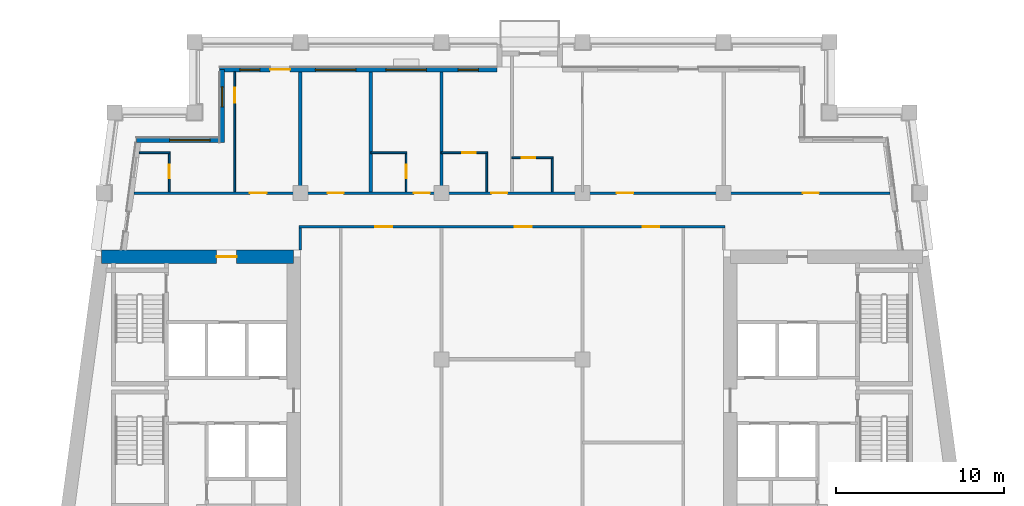
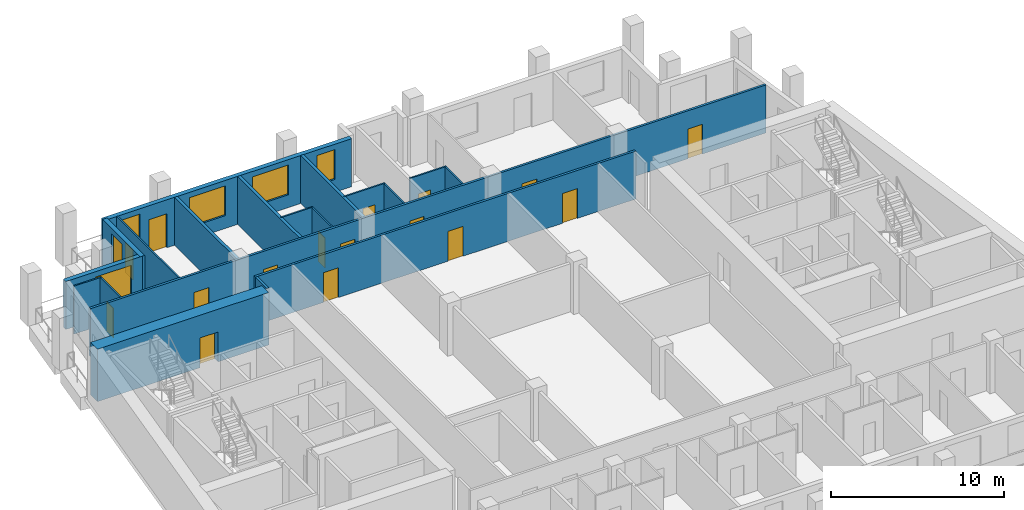
# One storey, part 6 of 12: 19 walls, 16 doors, 6 windows, 22 openings.
"""IFC4 building model written with IfcOpenShell, lengths in metres."""

from ifc_helpers import new_model, si_unit, direction, frame, frame_2d, origin, place, context, subcontext, project, spatial, rectangle, extrude, material, layer, layer_set, type_object, element, fill, save


model = new_model("IFC4")

# Units and contexts
model_context = context("Model", 3, precision=1e-05, world=origin(), true_north=direction((0.0, 1.0)))
body_context = subcontext(model_context, "Body", "Model", "MODEL_VIEW")
ifc_project = project(units=[si_unit("LENGTHUNIT", "METRE"), si_unit("AREAUNIT", "SQUARE_METRE"), si_unit("VOLUMEUNIT", "CUBIC_METRE"), si_unit("PLANEANGLEUNIT", "RADIAN"), si_unit("MASSUNIT", "GRAM", prefix="KILO")], contexts=[model_context])

# Site, building, storey
site_placement = place(None, origin())
site = spatial("IfcSite", under=ifc_project, at=site_placement, CompositionType="ELEMENT")
building_placement = place(site_placement, origin())
building = spatial("IfcBuilding", under=site, at=building_placement, Name="Candeia Pilgrim Tower and Theatre", CompositionType="ELEMENT")
storey_placement = place(building_placement, frame((0.0, 0.0, 213.300048828125)))
storey = spatial("IfcBuildingStorey", under=building, at=storey_placement, Name="L51", CompositionType="ELEMENT", Elevation=213.300048828125)

# Wall, opening, door
ifc_material_1 = material(Name="Concrete C50/60", Category="concrete")
ifc_layer_1 = layer(ifc_material_1, 0.800048828125)
ifc_layer_set_1 = layer_set([ifc_layer_1], Name="Core wall 800 C50/60")
wall_type_1 = type_object("IfcWallType", Name="Core wall 800 C50/60", PredefinedType="SHEAR", material=ifc_layer_set_1)
wall_1_placement = place(storey_placement, frame((88.98046875, 132.0, 0.0), z_axis=(0.0, 0.0, 1.0), x_axis=(1.0, 0.0, 0.0)))
wall_1 = element("IfcWall", 1, at=wall_1_placement, inside=storey, type_object=wall_type_1, Name="Core wall W1", PredefinedType="SHEAR", context=body_context, shape_type="SweptSolid", body=[
    extrude(rectangle(XDim=11.41943359375, YDim=0.800048828125, at=frame_2d((5.709716796875, 0.0))), origin(), (0.0, 0.0, 1.0), 3.699951171875),
])
opening_1_placement = place(wall_1_placement, frame((6.8330078125, 0.0, 0.0)))
opening_1 = element("IfcOpeningElement", 2, at=opening_1_placement, cuts=wall_1, Name="Opening L51-D054", PredefinedType="OPENING", context=body_context, shape_type="SweptSolid", body=[
    extrude(rectangle(XDim=1.199951171875, YDim=2.10009765625, at=frame_2d((0.60009765625, 1.050048828125))), frame((0.0, 0.41015625, 0.0), z_axis=(0.0, -1.0, 0.0), x_axis=(1.0, 0.0, 0.0)), (0.0, 0.0, 1.0), 0.820068359375),
])
ifc_material_2 = material(Name="Steel fire door set", Category="steel")
door_type_1 = type_object("IfcDoorType", Name="D-1200-FD60", OperationType="NOTDEFINED", PredefinedType="DOOR", material=ifc_material_2)
door_1_placement = place(opening_1_placement, origin())
door_1 = element("IfcDoor", 3, at=door_1_placement, inside=storey, type_object=door_type_1, Name="Door L51-D054", OperationType="SINGLE_SWING_LEFT", OverallHeight=2.10009765625, OverallWidth=1.199951171875, PredefinedType="DOOR", context=body_context, shape_type="SweptSolid", body=[
    extrude(rectangle(XDim=1.199951171875, YDim=2.10009765625, at=frame_2d((0.60009765625, 1.050048828125))), frame((0.0, 0.02490234375, 0.0), z_axis=(0.0, -1.0, 0.0), x_axis=(1.0, 0.0, 0.0)), (0.0, 0.0, 1.0), 0.050048828125),
])
fill(opening_1, door_1)

# Wall, openings, door, windows
ifc_material_3 = material(Name="Ceramic block masonry", Category="masonry")
ifc_layer_2 = layer(ifc_material_3, 0.300048828125)
ifc_layer_set_2 = layer_set([ifc_layer_2], Name="EW1 glazing-line wall 300")
wall_type_2 = type_object("IfcWallType", Name="EW1 glazing-line wall 300", PredefinedType="SOLIDWALL", material=ifc_layer_set_2)
wall_2_placement = place(storey_placement, frame((112.5, 143.14990234375, 0.0), z_axis=(0.0, 0.0, 1.0), x_axis=(-1.0, 0.0, 0.0)))
wall_2 = element("IfcWall", 4, at=wall_2_placement, inside=storey, type_object=wall_type_2, Name="External wall L51-6.1", PredefinedType="SOLIDWALL", context=body_context, shape_type="SweptSolid", body=[
    extrude(rectangle(XDim=16.5, YDim=0.300048828125, at=frame_2d((8.25, 0.0))), origin(), (0.0, 0.0, 1.0), 3.3798828125),
])
opening_2_placement = place(wall_2_placement, frame((1.10009765625, 0.0, 0.89990234375)))
opening_2 = element("IfcOpeningElement", 5, at=opening_2_placement, cuts=wall_2, Name="Opening W-B", PredefinedType="OPENING", context=body_context, shape_type="SweptSolid", body=[
    extrude(rectangle(XDim=1.199951171875, YDim=2.10009765625, at=frame_2d((0.60009765625, 1.050048828125))), frame((0.0, 0.16015625, 0.0), z_axis=(0.0, -1.0, 0.0), x_axis=(1.0, 0.0, 0.0)), (0.0, 0.0, 1.0), 0.320068359375),
])
opening_3_placement = place(wall_2_placement, frame((4.199951171875, 0.0, 0.89990234375)))
opening_3 = element("IfcOpeningElement", 6, at=opening_3_placement, cuts=wall_2, Name="Opening W-A", PredefinedType="OPENING", context=body_context, shape_type="SweptSolid", body=[
    extrude(rectangle(XDim=2.39990234375, YDim=2.10009765625, at=frame_2d((1.199951171875, 1.050048828125))), frame((0.0, 0.16015625, 0.0), z_axis=(0.0, -1.0, 0.0), x_axis=(1.0, 0.0, 0.0)), (0.0, 0.0, 1.0), 0.320068359375),
])
opening_4_placement = place(wall_2_placement, frame((8.39990234375, 0.0, 0.89990234375)))
opening_4 = element("IfcOpeningElement", 7, at=opening_4_placement, cuts=wall_2, Name="Opening W-A", PredefinedType="OPENING", context=body_context, shape_type="SweptSolid", body=[
    extrude(rectangle(XDim=2.39990234375, YDim=2.10009765625, at=frame_2d((1.199951171875, 1.050048828125))), frame((0.0, 0.16015625, 0.0), z_axis=(0.0, -1.0, 0.0), x_axis=(1.0, 0.0, 0.0)), (0.0, 0.0, 1.0), 0.320068359375),
])
opening_5_placement = place(wall_2_placement, frame((12.300048828125, 0.0, 0.0)))
opening_5 = element("IfcOpeningElement", 8, at=opening_5_placement, cuts=wall_2, Name="Opening L51-ED488", PredefinedType="OPENING", context=body_context, shape_type="SweptSolid", body=[
    extrude(rectangle(XDim=1.199951171875, YDim=2.39990234375, at=frame_2d((0.60009765625, 1.199951171875))), frame((0.0, 0.16015625, 0.0), z_axis=(0.0, -1.0, 0.0), x_axis=(1.0, 0.0, 0.0)), (0.0, 0.0, 1.0), 0.320068359375),
])
opening_6_placement = place(wall_2_placement, frame((14.10009765625, 0.0, 0.89990234375)))
opening_6 = element("IfcOpeningElement", 9, at=opening_6_placement, cuts=wall_2, Name="Opening W-B", PredefinedType="OPENING", context=body_context, shape_type="SweptSolid", body=[
    extrude(rectangle(XDim=1.199951171875, YDim=2.10009765625, at=frame_2d((0.60009765625, 1.050048828125))), frame((0.0, 0.16015625, 0.0), z_axis=(0.0, -1.0, 0.0), x_axis=(1.0, 0.0, 0.0)), (0.0, 0.0, 1.0), 0.320068359375),
])
ifc_material_4 = material(Name="Aluminium framed glazed door", Category="aluminium")
door_type_2 = type_object("IfcDoorType", Name="Loggia door 1200x2400", OperationType="DOUBLE_DOOR_SINGLE_SWING", PredefinedType="DOOR", material=ifc_material_4)
door_2_placement = place(opening_5_placement, origin())
door_2 = element("IfcDoor", 10, at=door_2_placement, inside=storey, type_object=door_type_2, Name="Loggia door L51-ED488", OperationType="DOUBLE_DOOR_SINGLE_SWING", OverallHeight=2.39990234375, OverallWidth=1.199951171875, PredefinedType="DOOR", context=body_context, shape_type="SweptSolid", body=[
    extrude(rectangle(XDim=1.199951171875, YDim=2.39990234375, at=frame_2d((0.60009765625, 1.199951171875))), frame((0.0, 0.02490234375, 0.0), z_axis=(0.0, -1.0, 0.0), x_axis=(1.0, 0.0, 0.0)), (0.0, 0.0, 1.0), 0.050048828125),
])
fill(opening_5, door_2)
ifc_material_5 = material(Name="Aluminium framed double glazing", Category="aluminium")
window_type_1 = type_object("IfcWindowType", Name="W-A window 2400x2100", PartitioningType="DOUBLE_PANEL_VERTICAL", PredefinedType="WINDOW", material=ifc_material_5)
window_1_placement = place(opening_3_placement, origin())
window_1 = element("IfcWindow", 11, at=window_1_placement, inside=storey, type_object=window_type_1, Name="Window W-A L51", OverallHeight=2.10009765625, OverallWidth=2.39990234375, PartitioningType="SINGLE_PANEL", PredefinedType="WINDOW", context=body_context, shape_type="SweptSolid", body=[
    extrude(rectangle(XDim=2.39990234375, YDim=2.10009765625, at=frame_2d((1.199951171875, 1.050048828125))), frame((0.0, 0.030029296875, 0.0), z_axis=(0.0, -1.0, 0.0), x_axis=(1.0, 0.0, 0.0)), (0.0, 0.0, 1.0), 0.06005859375),
])
fill(opening_3, window_1)
window_2_placement = place(opening_4_placement, origin())
window_2 = element("IfcWindow", 12, at=window_2_placement, inside=storey, type_object=window_type_1, Name="Window W-A L51", OverallHeight=2.10009765625, OverallWidth=2.39990234375, PartitioningType="SINGLE_PANEL", PredefinedType="WINDOW", context=body_context, shape_type="SweptSolid", body=[
    extrude(rectangle(XDim=2.39990234375, YDim=2.10009765625, at=frame_2d((1.199951171875, 1.050048828125))), frame((0.0, 0.030029296875, 0.0), z_axis=(0.0, -1.0, 0.0), x_axis=(1.0, 0.0, 0.0)), (0.0, 0.0, 1.0), 0.06005859375),
])
fill(opening_4, window_2)
window_type_2 = type_object("IfcWindowType", Name="W-B window 1200x2100", PartitioningType="SINGLE_PANEL", PredefinedType="WINDOW", material=ifc_material_5)
window_3_placement = place(opening_2_placement, origin())
window_3 = element("IfcWindow", 13, at=window_3_placement, inside=storey, type_object=window_type_2, Name="Window W-B L51", OverallHeight=2.10009765625, OverallWidth=1.199951171875, PartitioningType="SINGLE_PANEL", PredefinedType="WINDOW", context=body_context, shape_type="SweptSolid", body=[
    extrude(rectangle(XDim=1.199951171875, YDim=2.10009765625, at=frame_2d((0.60009765625, 1.050048828125))), frame((0.0, 0.030029296875, 0.0), z_axis=(0.0, -1.0, 0.0), x_axis=(1.0, 0.0, 0.0)), (0.0, 0.0, 1.0), 0.06005859375),
])
fill(opening_2, window_3)
window_4_placement = place(opening_6_placement, origin())
window_4 = element("IfcWindow", 14, at=window_4_placement, inside=storey, type_object=window_type_2, Name="Window W-B L51", OverallHeight=2.10009765625, OverallWidth=1.199951171875, PartitioningType="SINGLE_PANEL", PredefinedType="WINDOW", context=body_context, shape_type="SweptSolid", body=[
    extrude(rectangle(XDim=1.199951171875, YDim=2.10009765625, at=frame_2d((0.60009765625, 1.050048828125))), frame((0.0, 0.030029296875, 0.0), z_axis=(0.0, -1.0, 0.0), x_axis=(1.0, 0.0, 0.0)), (0.0, 0.0, 1.0), 0.06005859375),
])
fill(opening_6, window_4)

# Wall, opening, window
wall_3_placement = place(storey_placement, frame((96.14990234375, 143.14990234375, 0.0), z_axis=(0.0, 0.0, 1.0), x_axis=(0.0, -1.0, 0.0)))
wall_3 = element("IfcWall", 15, at=wall_3_placement, inside=storey, type_object=wall_type_2, Name="External wall L51-7.0", PredefinedType="SOLIDWALL", context=body_context, shape_type="SweptSolid", body=[
    extrude(rectangle(XDim=4.349853515625, YDim=0.300048828125, at=frame_2d((2.1748046875, 0.0))), origin(), (0.0, 0.0, 1.0), 3.3798828125),
])
opening_7_placement = place(wall_3_placement, frame((1.02490234375, 0.0, 0.89990234375)))
opening_7 = element("IfcOpeningElement", 16, at=opening_7_placement, cuts=wall_3, Name="Opening W-B", PredefinedType="OPENING", context=body_context, shape_type="SweptSolid", body=[
    extrude(rectangle(XDim=1.199951171875, YDim=2.10009765625, at=frame_2d((0.60009765625, 1.050048828125))), frame((0.0, 0.16015625, 0.0), z_axis=(0.0, -1.0, 0.0), x_axis=(1.0, 0.0, 0.0)), (0.0, 0.0, 1.0), 0.320068359375),
])
window_5_placement = place(opening_7_placement, origin())
window_5 = element("IfcWindow", 17, at=window_5_placement, inside=storey, type_object=window_type_2, Name="Window W-B L51", OverallHeight=2.10009765625, OverallWidth=1.199951171875, PartitioningType="SINGLE_PANEL", PredefinedType="WINDOW", context=body_context, shape_type="SweptSolid", body=[
    extrude(rectangle(XDim=1.199951171875, YDim=2.10009765625, at=frame_2d((0.60009765625, 1.050048828125))), frame((0.0, 0.030029296875, 0.0), z_axis=(0.0, -1.0, 0.0), x_axis=(1.0, 0.0, 0.0)), (0.0, 0.0, 1.0), 0.06005859375),
])
fill(opening_7, window_5)

wall_4_placement = place(storey_placement, frame((96.14990234375, 138.949951171875, 0.0), z_axis=(0.0, 0.0, 1.0), x_axis=(-1.0, 0.0, 0.0)))
wall_4 = element("IfcWall", 18, at=wall_4_placement, inside=storey, type_object=wall_type_2, Name="External wall L51-8.0", PredefinedType="SOLIDWALL", context=body_context, shape_type="SweptSolid", body=[
    extrude(rectangle(XDim=5.103759765625, YDim=0.300048828125, at=frame_2d((2.5517578125, 0.0))), origin(), (0.0, 0.0, 1.0), 3.3798828125),
])
opening_8_placement = place(wall_4_placement, frame((0.72509765625, 0.0, 0.89990234375)))
opening_8 = element("IfcOpeningElement", 19, at=opening_8_placement, cuts=wall_4, Name="Opening W-A", PredefinedType="OPENING", context=body_context, shape_type="SweptSolid", body=[
    extrude(rectangle(XDim=2.39990234375, YDim=2.10009765625, at=frame_2d((1.199951171875, 1.050048828125))), frame((0.0, 0.16015625, 0.0), z_axis=(0.0, -1.0, 0.0), x_axis=(1.0, 0.0, 0.0)), (0.0, 0.0, 1.0), 0.320068359375),
])
window_6_placement = place(opening_8_placement, origin())
window_6 = element("IfcWindow", 20, at=window_6_placement, inside=storey, type_object=window_type_1, Name="Window W-A L51", OverallHeight=2.10009765625, OverallWidth=2.39990234375, PartitioningType="SINGLE_PANEL", PredefinedType="WINDOW", context=body_context, shape_type="SweptSolid", body=[
    extrude(rectangle(XDim=2.39990234375, YDim=2.10009765625, at=frame_2d((1.199951171875, 1.050048828125))), frame((0.0, 0.030029296875, 0.0), z_axis=(0.0, -1.0, 0.0), x_axis=(1.0, 0.0, 0.0)), (0.0, 0.0, 1.0), 0.06005859375),
])
fill(opening_8, window_6)

# Wall, opening, door
ifc_material_6 = material(Name="Gypsum board partition on steel studs", Category="steel")
ifc_layer_3 = layer(ifc_material_6, 0.10009765625)
ifc_layer_set_3 = layer_set([ifc_layer_3], Name="PW-100 room partition")
wall_type_3 = type_object("IfcWallType", Name="PW-100 room partition", PredefinedType="PARTITIONING", material=ifc_layer_set_3)
wall_5_placement = place(storey_placement, frame((113.39990234375, 137.89990234375, 0.0), z_axis=(0.0, 0.0, 1.0), x_axis=(1.0, 0.0, 0.0)))
wall_5 = element("IfcWall", 21, at=wall_5_placement, inside=storey, type_object=wall_type_3, Name="Room partition L51-045", PredefinedType="PARTITIONING", context=body_context, shape_type="SweptSolid", body=[
    extrude(rectangle(XDim=2.4501953125, YDim=0.10009765625, at=frame_2d((1.22509765625, 0.0))), origin(), (0.0, 0.0, 1.0), 3.3798828125),
])
opening_9_placement = place(wall_5_placement, frame((0.574951171875, 0.0, 0.0)))
opening_9 = element("IfcOpeningElement", 22, at=opening_9_placement, cuts=wall_5, Name="Opening L51-D044", PredefinedType="OPENING", context=body_context, shape_type="SweptSolid", body=[
    extrude(rectangle(XDim=0.800048828125, YDim=2.10009765625, at=frame_2d((0.39990234375, 1.050048828125))), frame((0.0, 0.06005859375, 0.0), z_axis=(0.0, -1.0, 0.0), x_axis=(1.0, 0.0, 0.0)), (0.0, 0.0, 1.0), 0.1201171875),
])
ifc_material_7 = material(Name="Timber door leaf", Category="wood")
door_type_3 = type_object("IfcDoorType", Name="D-800", OperationType="NOTDEFINED", PredefinedType="DOOR", material=ifc_material_7)
door_3_placement = place(opening_9_placement, origin())
door_3 = element("IfcDoor", 23, at=door_3_placement, inside=storey, type_object=door_type_3, Name="Door L51-D044", OperationType="SINGLE_SWING_LEFT", OverallHeight=2.10009765625, OverallWidth=0.800048828125, PredefinedType="DOOR", context=body_context, shape_type="SweptSolid", body=[
    extrude(rectangle(XDim=0.800048828125, YDim=2.10009765625, at=frame_2d((0.39990234375, 1.050048828125))), frame((0.0, 0.02490234375, 0.0), z_axis=(0.0, -1.0, 0.0), x_axis=(1.0, 0.0, 0.0)), (0.0, 0.0, 1.0), 0.050048828125),
])
fill(opening_9, door_3)

# Walls
wall_6_placement = place(storey_placement, frame((91.2177734375, 138.199951171875, 0.0), z_axis=(0.0, 0.0, 1.0), x_axis=(1.0, 0.0, 0.0)))
element("IfcWall", 24, at=wall_6_placement, inside=storey, type_object=wall_type_3, Name="Room partition L51-046", PredefinedType="PARTITIONING", context=body_context, shape_type="SweptSolid", body=[
    extrude(rectangle(XDim=1.832275390625, YDim=0.10009765625, at=frame_2d((0.916015625, 0.0))), origin(), (0.0, 0.0, 1.0), 3.3798828125),
])
wall_7_placement = place(storey_placement, frame((105.0, 138.199951171875, 0.0), z_axis=(0.0, 0.0, 1.0), x_axis=(1.0, 0.0, 0.0)))
element("IfcWall", 25, at=wall_7_placement, inside=storey, type_object=wall_type_3, Name="Room partition L51-047", PredefinedType="PARTITIONING", context=body_context, shape_type="SweptSolid", body=[
    extrude(rectangle(XDim=2.14990234375, YDim=0.10009765625, at=frame_2d((1.074951171875, 0.0))), origin(), (0.0, 0.0, 1.0), 3.3798828125),
])

# Wall, opening, door
wall_8_placement = place(storey_placement, frame((109.199951171875, 138.199951171875, 0.0), z_axis=(0.0, 0.0, 1.0), x_axis=(1.0, 0.0, 0.0)))
wall_8 = element("IfcWall", 26, at=wall_8_placement, inside=storey, type_object=wall_type_3, Name="Room partition L51-048", PredefinedType="PARTITIONING", context=body_context, shape_type="SweptSolid", body=[
    extrude(rectangle(XDim=2.75, YDim=0.10009765625, at=frame_2d((1.375, 0.0))), origin(), (0.0, 0.0, 1.0), 3.3798828125),
])
opening_10_placement = place(wall_8_placement, frame((1.25, 0.0, 0.0)))
opening_10 = element("IfcOpeningElement", 27, at=opening_10_placement, cuts=wall_8, Name="Opening L51-D041", PredefinedType="OPENING", context=body_context, shape_type="SweptSolid", body=[
    extrude(rectangle(XDim=0.800048828125, YDim=2.10009765625, at=frame_2d((0.39990234375, 1.050048828125))), frame((0.0, 0.06005859375, 0.0), z_axis=(0.0, -1.0, 0.0), x_axis=(1.0, 0.0, 0.0)), (0.0, 0.0, 1.0), 0.1201171875),
])
door_4_placement = place(opening_10_placement, origin())
door_4 = element("IfcDoor", 28, at=door_4_placement, inside=storey, type_object=door_type_3, Name="Door L51-D041", OperationType="SINGLE_SWING_RIGHT", OverallHeight=2.10009765625, OverallWidth=0.800048828125, PredefinedType="DOOR", context=body_context, shape_type="SweptSolid", body=[
    extrude(rectangle(XDim=0.800048828125, YDim=2.10009765625, at=frame_2d((0.39990234375, 1.050048828125))), frame((0.0, 0.02490234375, 0.0), z_axis=(0.0, -1.0, 0.0), x_axis=(1.0, 0.0, 0.0)), (0.0, 0.0, 1.0), 0.050048828125),
])
fill(opening_10, door_4)

wall_9_placement = place(storey_placement, frame((93.0, 135.875, 0.0), z_axis=(0.0, 0.0, 1.0), x_axis=(0.0, 1.0, 0.0)))
wall_9 = element("IfcWall", 29, at=wall_9_placement, inside=storey, type_object=wall_type_3, Name="Room partition L51-060", PredefinedType="PARTITIONING", context=body_context, shape_type="SweptSolid", body=[
    extrude(rectangle(XDim=2.27490234375, YDim=0.10009765625, at=frame_2d((1.137451171875, 0.0))), origin(), (0.0, 0.0, 1.0), 3.3798828125),
])
opening_11_placement = place(wall_9_placement, frame((0.81494140625, 0.0, 0.0)))
opening_11 = element("IfcOpeningElement", 30, at=opening_11_placement, cuts=wall_9, Name="Opening L51-D036", PredefinedType="OPENING", context=body_context, shape_type="SweptSolid", body=[
    extrude(rectangle(XDim=0.800048828125, YDim=2.10009765625, at=frame_2d((0.39990234375, 1.050048828125))), frame((0.0, 0.06005859375, 0.0), z_axis=(0.0, -1.0, 0.0), x_axis=(1.0, 0.0, 0.0)), (0.0, 0.0, 1.0), 0.1201171875),
])
door_5_placement = place(opening_11_placement, origin())
door_5 = element("IfcDoor", 31, at=door_5_placement, inside=storey, type_object=door_type_3, Name="Door L51-D036", OperationType="SINGLE_SWING_LEFT", OverallHeight=2.10009765625, OverallWidth=0.800048828125, PredefinedType="DOOR", context=body_context, shape_type="SweptSolid", body=[
    extrude(rectangle(XDim=0.800048828125, YDim=2.10009765625, at=frame_2d((0.39990234375, 1.050048828125))), frame((0.0, 0.02490234375, 0.0), z_axis=(0.0, -1.0, 0.0), x_axis=(1.0, 0.0, 0.0)), (0.0, 0.0, 1.0), 0.050048828125),
])
fill(opening_11, door_5)

wall_10_placement = place(storey_placement, frame((96.89990234375, 135.875, 0.0), z_axis=(0.0, 0.0, 1.0), x_axis=(0.0, 1.0, 0.0)))
wall_10 = element("IfcWall", 32, at=wall_10_placement, inside=storey, type_object=wall_type_3, Name="Room partition L51-067", PredefinedType="PARTITIONING", context=body_context, shape_type="SweptSolid", body=[
    extrude(rectangle(XDim=7.135009765625, YDim=0.10009765625, at=frame_2d((3.5673828125, 0.0))), origin(), (0.0, 0.0, 1.0), 3.3798828125),
])
opening_12_placement = place(wall_10_placement, frame((5.2900390625, 0.0, 0.0)))
opening_12 = element("IfcOpeningElement", 33, at=opening_12_placement, cuts=wall_10, Name="Opening L51-D035", PredefinedType="OPENING", context=body_context, shape_type="SweptSolid", body=[
    extrude(rectangle(XDim=0.89990234375, YDim=2.10009765625, at=frame_2d((0.449951171875, 1.050048828125))), frame((0.0, 0.06005859375, 0.0), z_axis=(0.0, -1.0, 0.0), x_axis=(1.0, 0.0, 0.0)), (0.0, 0.0, 1.0), 0.1201171875),
])
door_type_4 = type_object("IfcDoorType", Name="D-900", OperationType="NOTDEFINED", PredefinedType="DOOR", material=ifc_material_7)
door_6_placement = place(opening_12_placement, origin())
door_6 = element("IfcDoor", 34, at=door_6_placement, inside=storey, type_object=door_type_4, Name="Door L51-D035", OperationType="SINGLE_SWING_RIGHT", OverallHeight=2.10009765625, OverallWidth=0.89990234375, PredefinedType="DOOR", context=body_context, shape_type="SweptSolid", body=[
    extrude(rectangle(XDim=0.89990234375, YDim=2.10009765625, at=frame_2d((0.449951171875, 1.050048828125))), frame((0.0, 0.02490234375, 0.0), z_axis=(0.0, -1.0, 0.0), x_axis=(1.0, 0.0, 0.0)), (0.0, 0.0, 1.0), 0.050048828125),
])
fill(opening_12, door_6)

wall_11_placement = place(storey_placement, frame((107.10009765625, 135.875, 0.0), z_axis=(0.0, 0.0, 1.0), x_axis=(0.0, 1.0, 0.0)))
wall_11 = element("IfcWall", 35, at=wall_11_placement, inside=storey, type_object=wall_type_3, Name="Room partition L51-080", PredefinedType="PARTITIONING", context=body_context, shape_type="SweptSolid", body=[
    extrude(rectangle(XDim=2.27490234375, YDim=0.10009765625, at=frame_2d((1.137451171875, 0.0))), origin(), (0.0, 0.0, 1.0), 3.3798828125),
])
opening_13_placement = place(wall_11_placement, frame((0.81494140625, 0.0, 0.0)))
opening_13 = element("IfcOpeningElement", 36, at=opening_13_placement, cuts=wall_11, Name="Opening L51-D039", PredefinedType="OPENING", context=body_context, shape_type="SweptSolid", body=[
    extrude(rectangle(XDim=0.800048828125, YDim=2.10009765625, at=frame_2d((0.39990234375, 1.050048828125))), frame((0.0, 0.06005859375, 0.0), z_axis=(0.0, -1.0, 0.0), x_axis=(1.0, 0.0, 0.0)), (0.0, 0.0, 1.0), 0.1201171875),
])
door_7_placement = place(opening_13_placement, origin())
door_7 = element("IfcDoor", 37, at=door_7_placement, inside=storey, type_object=door_type_3, Name="Door L51-D039", OperationType="SINGLE_SWING_RIGHT", OverallHeight=2.10009765625, OverallWidth=0.800048828125, PredefinedType="DOOR", context=body_context, shape_type="SweptSolid", body=[
    extrude(rectangle(XDim=0.800048828125, YDim=2.10009765625, at=frame_2d((0.39990234375, 1.050048828125))), frame((0.0, 0.02490234375, 0.0), z_axis=(0.0, -1.0, 0.0), x_axis=(1.0, 0.0, 0.0)), (0.0, 0.0, 1.0), 0.050048828125),
])
fill(opening_13, door_7)

# Walls
wall_12_placement = place(storey_placement, frame((111.89990234375, 135.875, 0.0), z_axis=(0.0, 0.0, 1.0), x_axis=(0.0, 1.0, 0.0)))
element("IfcWall", 38, at=wall_12_placement, inside=storey, type_object=wall_type_3, Name="Room partition L51-085", PredefinedType="PARTITIONING", context=body_context, shape_type="SweptSolid", body=[
    extrude(rectangle(XDim=2.27490234375, YDim=0.10009765625, at=frame_2d((1.137451171875, 0.0))), origin(), (0.0, 0.0, 1.0), 3.3798828125),
])
wall_13_placement = place(storey_placement, frame((115.800048828125, 135.875, 0.0), z_axis=(0.0, 0.0, 1.0), x_axis=(0.0, 1.0, 0.0)))
element("IfcWall", 39, at=wall_13_placement, inside=storey, type_object=wall_type_3, Name="Room partition L51-089", PredefinedType="PARTITIONING", context=body_context, shape_type="SweptSolid", body=[
    extrude(rectangle(XDim=1.97509765625, YDim=0.10009765625, at=frame_2d((0.987548828125, 0.0))), origin(), (0.0, 0.0, 1.0), 3.3798828125),
])

# Wall, openings, doors
ifc_layer_4 = layer(ifc_material_6, 0.14990234375)
ifc_layer_set_4 = layer_set([ifc_layer_4], Name="PW-150 unit wall")
wall_type_4 = type_object("IfcWallType", Name="PW-150 unit wall", PredefinedType="PARTITIONING", material=ifc_layer_set_4)
wall_14_placement = place(storey_placement, frame((100.72509765625, 133.800048828125, 0.0), z_axis=(0.0, 0.0, 1.0), x_axis=(1.0, 0.0, 0.0)))
wall_14 = element("IfcWall", 40, at=wall_14_placement, inside=storey, type_object=wall_type_4, Name="Unit wall L51-043", PredefinedType="PARTITIONING", context=body_context, shape_type="SweptSolid", body=[
    extrude(rectangle(XDim=25.349853515625, YDim=0.14990234375, at=frame_2d((12.6748046875, 0.0))), origin(), (0.0, 0.0, 1.0), 3.3798828125),
])
opening_14_placement = place(wall_14_placement, frame((4.544921875, 0.0, 0.0)))
opening_14 = element("IfcOpeningElement", 41, at=opening_14_placement, cuts=wall_14, Name="Opening L51-D048", PredefinedType="OPENING", context=body_context, shape_type="SweptSolid", body=[
    extrude(rectangle(XDim=1.0, YDim=2.10009765625, at=frame_2d((0.5, 1.050048828125))), frame((0.0, 0.0849609375, 0.0), z_axis=(0.0, -1.0, 0.0), x_axis=(1.0, 0.0, 0.0)), (0.0, 0.0, 1.0), 0.169921875),
])
opening_15_placement = place(wall_14_placement, frame((12.844970703125, 0.0, 0.0)))
opening_15 = element("IfcOpeningElement", 42, at=opening_15_placement, cuts=wall_14, Name="Opening L51-D050", PredefinedType="OPENING", context=body_context, shape_type="SweptSolid", body=[
    extrude(rectangle(XDim=1.0, YDim=2.10009765625, at=frame_2d((0.5, 1.050048828125))), frame((0.0, 0.0849609375, 0.0), z_axis=(0.0, -1.0, 0.0), x_axis=(1.0, 0.0, 0.0)), (0.0, 0.0, 1.0), 0.169921875),
])
opening_16_placement = place(wall_14_placement, frame((20.449951171875, 0.0, 0.0)))
opening_16 = element("IfcOpeningElement", 43, at=opening_16_placement, cuts=wall_14, Name="Opening L51-D052", PredefinedType="OPENING", context=body_context, shape_type="SweptSolid", body=[
    extrude(rectangle(XDim=1.0, YDim=2.10009765625, at=frame_2d((0.5, 1.050048828125))), frame((0.0, 0.0849609375, 0.0), z_axis=(0.0, -1.0, 0.0), x_axis=(1.0, 0.0, 0.0)), (0.0, 0.0, 1.0), 0.169921875),
])
door_type_5 = type_object("IfcDoorType", Name="D-1000-FD30S", OperationType="NOTDEFINED", PredefinedType="DOOR", material=ifc_material_2)
door_8_placement = place(opening_14_placement, origin())
door_8 = element("IfcDoor", 44, at=door_8_placement, inside=storey, type_object=door_type_5, Name="Door L51-D048", OperationType="SINGLE_SWING_LEFT", OverallHeight=2.10009765625, OverallWidth=1.0, PredefinedType="DOOR", context=body_context, shape_type="SweptSolid", body=[
    extrude(rectangle(XDim=1.0, YDim=2.10009765625, at=frame_2d((0.5, 1.050048828125))), frame((0.0, 0.02490234375, 0.0), z_axis=(0.0, -1.0, 0.0), x_axis=(1.0, 0.0, 0.0)), (0.0, 0.0, 1.0), 0.050048828125),
])
fill(opening_14, door_8)
door_9_placement = place(opening_15_placement, origin())
door_9 = element("IfcDoor", 45, at=door_9_placement, inside=storey, type_object=door_type_5, Name="Door L51-D050", OperationType="SINGLE_SWING_LEFT", OverallHeight=2.10009765625, OverallWidth=1.0, PredefinedType="DOOR", context=body_context, shape_type="SweptSolid", body=[
    extrude(rectangle(XDim=1.0, YDim=2.10009765625, at=frame_2d((0.5, 1.050048828125))), frame((0.0, 0.02490234375, 0.0), z_axis=(0.0, -1.0, 0.0), x_axis=(1.0, 0.0, 0.0)), (0.0, 0.0, 1.0), 0.050048828125),
])
fill(opening_15, door_9)
door_10_placement = place(opening_16_placement, origin())
door_10 = element("IfcDoor", 46, at=door_10_placement, inside=storey, type_object=door_type_5, Name="Door L51-D052", OperationType="SINGLE_SWING_LEFT", OverallHeight=2.10009765625, OverallWidth=1.0, PredefinedType="DOOR", context=body_context, shape_type="SweptSolid", body=[
    extrude(rectangle(XDim=1.0, YDim=2.10009765625, at=frame_2d((0.5, 1.050048828125))), frame((0.0, 0.02490234375, 0.0), z_axis=(0.0, -1.0, 0.0), x_axis=(1.0, 0.0, 0.0)), (0.0, 0.0, 1.0), 0.050048828125),
])
fill(opening_16, door_10)

wall_15_placement = place(storey_placement, frame((90.89453125, 135.800048828125, 0.0), z_axis=(0.0, 0.0, 1.0), x_axis=(1.0, 0.0, 0.0)))
wall_15 = element("IfcWall", 47, at=wall_15_placement, inside=storey, type_object=wall_type_4, Name="Unit wall L51-044", PredefinedType="PARTITIONING", context=body_context, shape_type="SweptSolid", body=[
    extrude(rectangle(XDim=45.010986328125, YDim=0.14990234375, at=frame_2d((22.50537109375, 0.0))), origin(), (0.0, 0.0, 1.0), 3.3798828125),
])
opening_17_placement = place(wall_15_placement, frame((6.905517578125, 0.0, 0.0)))
opening_17 = element("IfcOpeningElement", 48, at=opening_17_placement, cuts=wall_15, Name="Opening L51-D034", PredefinedType="OPENING", context=body_context, shape_type="SweptSolid", body=[
    extrude(rectangle(XDim=1.0, YDim=2.10009765625, at=frame_2d((0.5, 1.050048828125))), frame((0.0, 0.0849609375, 0.0), z_axis=(0.0, -1.0, 0.0), x_axis=(1.0, 0.0, 0.0)), (0.0, 0.0, 1.0), 0.169921875),
])
opening_18_placement = place(wall_15_placement, frame((11.530517578125, 0.0, 0.0)))
opening_18 = element("IfcOpeningElement", 49, at=opening_18_placement, cuts=wall_15, Name="Opening L51-D037", PredefinedType="OPENING", context=body_context, shape_type="SweptSolid", body=[
    extrude(rectangle(XDim=0.949951171875, YDim=2.10009765625, at=frame_2d((0.47509765625, 1.050048828125))), frame((0.0, 0.0849609375, 0.0), z_axis=(0.0, -1.0, 0.0), x_axis=(1.0, 0.0, 0.0)), (0.0, 0.0, 1.0), 0.169921875),
])
opening_19_placement = place(wall_15_placement, frame((16.66748046875, 0.0, 0.0)))
opening_19 = element("IfcOpeningElement", 50, at=opening_19_placement, cuts=wall_15, Name="Opening L51-D038", PredefinedType="OPENING", context=body_context, shape_type="SweptSolid", body=[
    extrude(rectangle(XDim=0.949951171875, YDim=2.10009765625, at=frame_2d((0.47509765625, 1.050048828125))), frame((0.0, 0.0849609375, 0.0), z_axis=(0.0, -1.0, 0.0), x_axis=(1.0, 0.0, 0.0)), (0.0, 0.0, 1.0), 0.169921875),
])
opening_20_placement = place(wall_15_placement, frame((21.280517578125, 0.0, 0.0)))
opening_20 = element("IfcOpeningElement", 51, at=opening_20_placement, cuts=wall_15, Name="Opening L51-D040", PredefinedType="OPENING", context=body_context, shape_type="SweptSolid", body=[
    extrude(rectangle(XDim=0.949951171875, YDim=2.10009765625, at=frame_2d((0.47509765625, 1.050048828125))), frame((0.0, 0.0849609375, 0.0), z_axis=(0.0, -1.0, 0.0), x_axis=(1.0, 0.0, 0.0)), (0.0, 0.0, 1.0), 0.169921875),
])
opening_21_placement = place(wall_15_placement, frame((28.73046875, 0.0, 0.0)))
opening_21 = element("IfcOpeningElement", 52, at=opening_21_placement, cuts=wall_15, Name="Opening L51-D042", PredefinedType="OPENING", context=body_context, shape_type="SweptSolid", body=[
    extrude(rectangle(XDim=1.0, YDim=2.10009765625, at=frame_2d((0.5, 1.050048828125))), frame((0.0, 0.0849609375, 0.0), z_axis=(0.0, -1.0, 0.0), x_axis=(1.0, 0.0, 0.0)), (0.0, 0.0, 1.0), 0.169921875),
])
opening_22_placement = place(wall_15_placement, frame((39.814453125, 0.0, 0.0)))
opening_22 = element("IfcOpeningElement", 53, at=opening_22_placement, cuts=wall_15, Name="Opening L51-D045", PredefinedType="OPENING", context=body_context, shape_type="SweptSolid", body=[
    extrude(rectangle(XDim=0.949951171875, YDim=2.10009765625, at=frame_2d((0.47509765625, 1.050048828125))), frame((0.0, 0.0849609375, 0.0), z_axis=(0.0, -1.0, 0.0), x_axis=(1.0, 0.0, 0.0)), (0.0, 0.0, 1.0), 0.169921875),
])
door_11_placement = place(opening_17_placement, origin())
door_11 = element("IfcDoor", 54, at=door_11_placement, inside=storey, type_object=door_type_5, Name="Door L51-D034", OperationType="SINGLE_SWING_LEFT", OverallHeight=2.10009765625, OverallWidth=1.0, PredefinedType="DOOR", context=body_context, shape_type="SweptSolid", body=[
    extrude(rectangle(XDim=1.0, YDim=2.10009765625, at=frame_2d((0.5, 1.050048828125))), frame((0.0, 0.02490234375, 0.0), z_axis=(0.0, -1.0, 0.0), x_axis=(1.0, 0.0, 0.0)), (0.0, 0.0, 1.0), 0.050048828125),
])
fill(opening_17, door_11)
door_12_placement = place(opening_21_placement, origin())
door_12 = element("IfcDoor", 55, at=door_12_placement, inside=storey, type_object=door_type_5, Name="Door L51-D042", OperationType="SINGLE_SWING_LEFT", OverallHeight=2.10009765625, OverallWidth=1.0, PredefinedType="DOOR", context=body_context, shape_type="SweptSolid", body=[
    extrude(rectangle(XDim=1.0, YDim=2.10009765625, at=frame_2d((0.5, 1.050048828125))), frame((0.0, 0.02490234375, 0.0), z_axis=(0.0, -1.0, 0.0), x_axis=(1.0, 0.0, 0.0)), (0.0, 0.0, 1.0), 0.050048828125),
])
fill(opening_21, door_12)
door_type_6 = type_object("IfcDoorType", Name="D-950-FD30S", OperationType="NOTDEFINED", PredefinedType="DOOR", material=ifc_material_2)
door_13_placement = place(opening_18_placement, origin())
door_13 = element("IfcDoor", 56, at=door_13_placement, inside=storey, type_object=door_type_6, Name="Door L51-D037", OperationType="SINGLE_SWING_RIGHT", OverallHeight=2.10009765625, OverallWidth=0.949951171875, PredefinedType="DOOR", context=body_context, shape_type="SweptSolid", body=[
    extrude(rectangle(XDim=0.949951171875, YDim=2.10009765625, at=frame_2d((0.47509765625, 1.050048828125))), frame((0.0, 0.02490234375, 0.0), z_axis=(0.0, -1.0, 0.0), x_axis=(1.0, 0.0, 0.0)), (0.0, 0.0, 1.0), 0.050048828125),
])
fill(opening_18, door_13)
door_14_placement = place(opening_19_placement, origin())
door_14 = element("IfcDoor", 57, at=door_14_placement, inside=storey, type_object=door_type_6, Name="Door L51-D038", OperationType="SINGLE_SWING_LEFT", OverallHeight=2.10009765625, OverallWidth=0.949951171875, PredefinedType="DOOR", context=body_context, shape_type="SweptSolid", body=[
    extrude(rectangle(XDim=0.949951171875, YDim=2.10009765625, at=frame_2d((0.47509765625, 1.050048828125))), frame((0.0, 0.02490234375, 0.0), z_axis=(0.0, -1.0, 0.0), x_axis=(1.0, 0.0, 0.0)), (0.0, 0.0, 1.0), 0.050048828125),
])
fill(opening_19, door_14)
door_15_placement = place(opening_20_placement, origin())
door_15 = element("IfcDoor", 58, at=door_15_placement, inside=storey, type_object=door_type_6, Name="Door L51-D040", OperationType="SINGLE_SWING_LEFT", OverallHeight=2.10009765625, OverallWidth=0.949951171875, PredefinedType="DOOR", context=body_context, shape_type="SweptSolid", body=[
    extrude(rectangle(XDim=0.949951171875, YDim=2.10009765625, at=frame_2d((0.47509765625, 1.050048828125))), frame((0.0, 0.02490234375, 0.0), z_axis=(0.0, -1.0, 0.0), x_axis=(1.0, 0.0, 0.0)), (0.0, 0.0, 1.0), 0.050048828125),
])
fill(opening_20, door_15)
door_16_placement = place(opening_22_placement, origin())
door_16 = element("IfcDoor", 59, at=door_16_placement, inside=storey, type_object=door_type_6, Name="Door L51-D045", OperationType="SINGLE_SWING_RIGHT", OverallHeight=2.10009765625, OverallWidth=0.949951171875, PredefinedType="DOOR", context=body_context, shape_type="SweptSolid", body=[
    extrude(rectangle(XDim=0.949951171875, YDim=2.10009765625, at=frame_2d((0.47509765625, 1.050048828125))), frame((0.0, 0.02490234375, 0.0), z_axis=(0.0, -1.0, 0.0), x_axis=(1.0, 0.0, 0.0)), (0.0, 0.0, 1.0), 0.050048828125),
])
fill(opening_22, door_16)

# Walls
wall_16_placement = place(storey_placement, frame((100.800048828125, 132.39990234375, 0.0), z_axis=(0.0, 0.0, 1.0), x_axis=(0.0, 1.0, 0.0)))
element("IfcWall", 60, at=wall_16_placement, inside=storey, type_object=wall_type_4, Name="Unit wall L51-074", PredefinedType="PARTITIONING", context=body_context, shape_type="SweptSolid", body=[
    extrude(rectangle(XDim=1.3251953125, YDim=0.14990234375, at=frame_2d((0.66259765625, 0.0))), origin(), (0.0, 0.0, 1.0), 3.3798828125),
])
ifc_layer_5 = layer(ifc_material_6, 0.199951171875)
ifc_layer_set_5 = layer_set([ifc_layer_5], Name="PW-200 party wall")
wall_type_5 = type_object("IfcWallType", Name="PW-200 party wall", PredefinedType="PARTITIONING", material=ifc_layer_set_5)
for number, where, z_axis, x_axis, name in (
    (61, (100.800048828125, 135.875, 0.0), (0.0, 0.0, 1.0), (0.0, 1.0, 0.0), "Party wall L51-072"),
    (62, (105.0, 135.875, 0.0), (0.0, 0.0, 1.0), (0.0, 1.0, 0.0), "Party wall L51-077"),
    (63, (109.199951171875, 135.875, 0.0), (0.0, 0.0, 1.0), (0.0, 1.0, 0.0), "Party wall L51-083"),
):
    element("IfcWall", number, at=place(storey_placement, frame(where, z_axis=z_axis, x_axis=x_axis)), inside=storey, type_object=wall_type_5, Name=name, PredefinedType="PARTITIONING", context=body_context, shape_type="SweptSolid", body=[
        extrude(rectangle(XDim=7.135009765625, YDim=0.199951171875, at=frame_2d((3.5673828125, 0.0))), origin(), (0.0, 0.0, 1.0), 3.3798828125),
    ])

save(model, "model.ifc")
